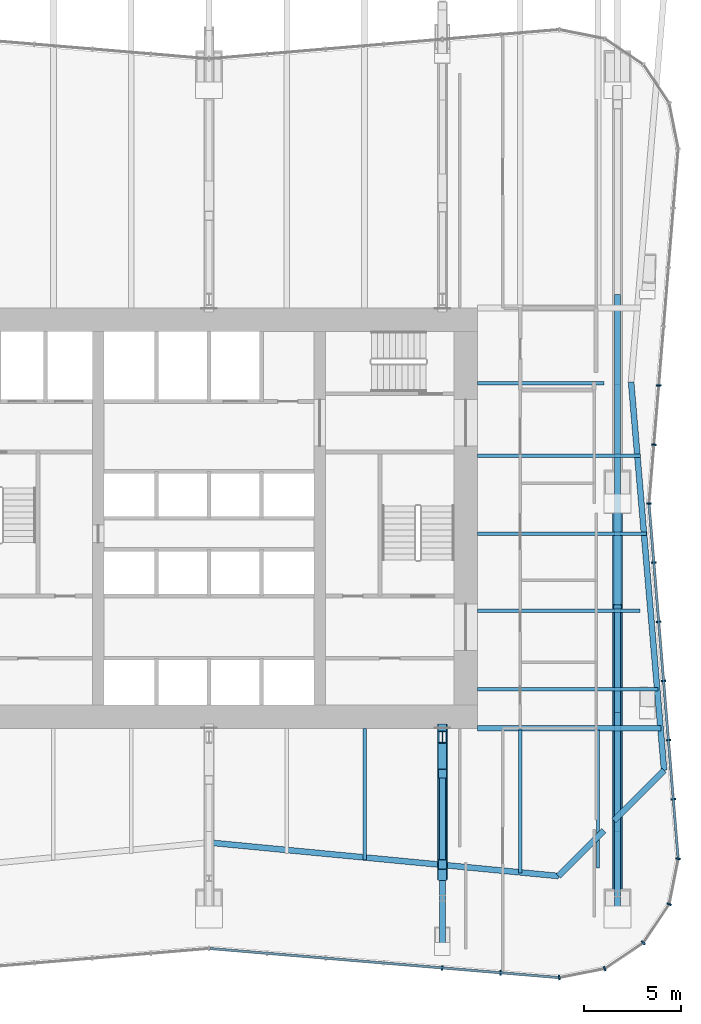
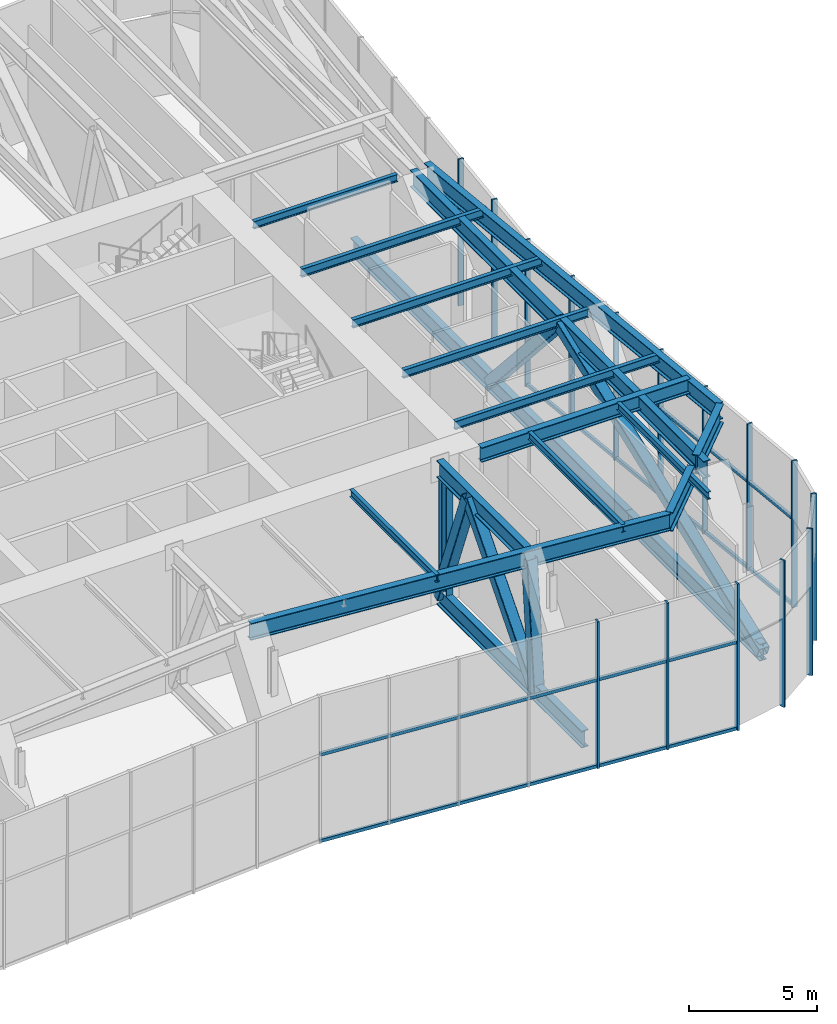
# One storey, part 7 of 17: 32 members, 13 beams, 3 elements without a shape of their own.
"""IFC4 building model written with IfcOpenShell, lengths in metres."""

from ifc_helpers import new_model, si_unit, direction, frame, origin, origin_2d, place, context, subcontext, project, spatial, rectangle, hollow_rectangle, i_section, extrude, material, material_profile, profile_set, type_object, element, aggregate, save


model = new_model("IFC4")

# Units and contexts
model_context = context("Model", 3, precision=1e-05, world=origin(), true_north=direction((0.0, 1.0)))
body_context = subcontext(model_context, "Body", "Model", "MODEL_VIEW")
ifc_project = project(units=[si_unit("LENGTHUNIT", "METRE"), si_unit("AREAUNIT", "SQUARE_METRE"), si_unit("VOLUMEUNIT", "CUBIC_METRE"), si_unit("PLANEANGLEUNIT", "RADIAN"), si_unit("MASSUNIT", "GRAM", prefix="KILO")], contexts=[model_context])

# Site, building, storey
site_placement = place(None, origin())
site = spatial("IfcSite", under=ifc_project, at=site_placement, CompositionType="ELEMENT")
building_placement = place(site_placement, origin())
building = spatial("IfcBuilding", under=site, at=building_placement, Name="Verdant Reach Tower", CompositionType="ELEMENT")
storey_placement = place(building_placement, frame((0.0, 0.0, 114.0)))
storey = spatial("IfcBuildingStorey", under=building, at=storey_placement, Name="L26 Plant", CompositionType="ELEMENT", Elevation=114.0)

# Curtain wall, members
ifc_material_1 = material(Name="Anodised aluminium", Category="aluminium")
curtain_wall_type = type_object("IfcCurtainWallType", Name="EN-CW SYSTEM PLANT", PredefinedType="NOTDEFINED", material=ifc_material_1)
curtain_wall_1_placement = place(storey_placement, origin())
curtain_wall_1 = element("IfcCurtainWall", 1, at=curtain_wall_1_placement, inside=storey, type_object=curtain_wall_type, Name="Curtain wall south-east corner, L26", PredefinedType="NOTDEFINED")
ifc_material_profile_1 = material_profile(ifc_material_1, rectangle(XDim=0.238037109375, YDim=0.080078125, at=origin_2d()), Name="Mullion 80x240")
ifc_profile_set_1 = profile_set([ifc_material_profile_1], Name="Anodised aluminium")
member_type_1 = type_object("IfcMemberType", Name="EN-MULLION PLANT", PredefinedType="MULLION", material=ifc_profile_set_1)
member_1_placement = place(storey_placement, frame((18.0068359375, 4.381103515625, -0.35009765625), z_axis=(0.0, 0.0, 1.0), x_axis=(0.056569187765, -0.998398681387, 0.0)))
member_1 = element("IfcMember", 2, at=member_1_placement, type_object=member_type_1, Name="Mullion south-east corner 1, L26", PredefinedType="MULLION", context=body_context, shape_type="SweptSolid", body=[
    extrude(rectangle(XDim=0.238037109375, YDim=0.080078125, at=origin_2d()), origin(), (0.0, 0.0, 1.0), 7.0),
])
member_2_placement = place(storey_placement, frame((20.341552734375, 4.8466796875, -0.35009765625), z_axis=(0.0, 0.0, 1.0), x_axis=(0.382693853776, -0.923875215753, 0.0)))
member_2 = element("IfcMember", 3, at=member_2_placement, type_object=member_type_1, Name="Mullion south-east corner 2, L26", PredefinedType="MULLION", context=body_context, shape_type="SweptSolid", body=[
    extrude(rectangle(XDim=0.238037109375, YDim=0.080078125, at=origin_2d()), origin(), (0.0, 0.0, 1.0), 7.0),
])
member_3_placement = place(storey_placement, frame((22.32666015625, 6.17333984375, -0.35009765625), z_axis=(0.0, 0.0, 1.0), x_axis=(0.707106781187, -0.707106781187, 0.0)))
member_3 = element("IfcMember", 4, at=member_3_placement, type_object=member_type_1, Name="Mullion south-east corner 3, L26", PredefinedType="MULLION", context=body_context, shape_type="SweptSolid", body=[
    extrude(rectangle(XDim=0.238037109375, YDim=0.080078125, at=origin_2d()), origin(), (0.0, 0.0, 1.0), 7.0),
])
member_4_placement = place(storey_placement, frame((23.6533203125, 8.158447265625, -0.35009765625), z_axis=(0.0, 0.0, 1.0), x_axis=(0.923875215753, -0.382693853776, 0.0)))
member_4 = element("IfcMember", 5, at=member_4_placement, type_object=member_type_1, Name="Mullion south-east corner 4, L26", PredefinedType="MULLION", context=body_context, shape_type="SweptSolid", body=[
    extrude(rectangle(XDim=0.238037109375, YDim=0.080078125, at=origin_2d()), origin(), (0.0, 0.0, 1.0), 7.0),
])
aggregate(curtain_wall_1, [member_1, member_2, member_3, member_4])

curtain_wall_2_placement = place(storey_placement, origin())
curtain_wall_2 = element("IfcCurtainWall", 6, at=curtain_wall_2_placement, inside=storey, type_object=curtain_wall_type, Name="Curtain wall east, L26", PredefinedType="NOTDEFINED")
member_5_placement = place(storey_placement, frame((24.118896484375, 10.4931640625, -0.35009765625), z_axis=(0.0, 0.0, 1.0), x_axis=(0.998366452275, -0.057135164055, 0.0)))
member_5 = element("IfcMember", 7, at=member_5_placement, type_object=member_type_1, Name="Mullion east face part 1 1, L26", PredefinedType="MULLION", context=body_context, shape_type="SweptSolid", body=[
    extrude(rectangle(XDim=0.238037109375, YDim=0.080078125, at=origin_2d()), origin(), (0.0, 0.0, 1.0), 7.0),
])
member_6_placement = place(storey_placement, frame((23.86865234375, 13.551513671875, -0.35009765625), z_axis=(0.0, 0.0, 1.0), x_axis=(0.996639273542, 0.081915556724, 0.0)))
member_6 = element("IfcMember", 8, at=member_6_placement, type_object=member_type_1, Name="Mullion east face part 1 2, L26", PredefinedType="MULLION", context=body_context, shape_type="SweptSolid", body=[
    extrude(rectangle(XDim=0.238037109375, YDim=0.080078125, at=origin_2d()), origin(), (0.0, 0.0, 1.0), 7.0),
])
member_7_placement = place(storey_placement, frame((23.61865234375, 16.593017578125, -0.35009765625), z_axis=(0.0, 0.0, 1.0), x_axis=(0.996639273542, 0.081915556724, 0.0)))
member_7 = element("IfcMember", 9, at=member_7_placement, type_object=member_type_1, Name="Mullion east face part 1 3, L26", PredefinedType="MULLION", context=body_context, shape_type="SweptSolid", body=[
    extrude(rectangle(XDim=0.238037109375, YDim=0.080078125, at=origin_2d()), origin(), (0.0, 0.0, 1.0), 7.0),
])
member_8_placement = place(storey_placement, frame((23.36865234375, 19.634765625, -0.35009765625), z_axis=(0.0, 0.0, 1.0), x_axis=(0.996639273542, 0.081915556724, 0.0)))
member_8 = element("IfcMember", 10, at=member_8_placement, type_object=member_type_1, Name="Mullion east face part 1 4, L26", PredefinedType="MULLION", context=body_context, shape_type="SweptSolid", body=[
    extrude(rectangle(XDim=0.238037109375, YDim=0.080078125, at=origin_2d()), origin(), (0.0, 0.0, 1.0), 7.0),
])
member_9_placement = place(storey_placement, frame((23.11865234375, 22.676513671875, -0.35009765625), z_axis=(0.0, 0.0, 1.0), x_axis=(0.996639273542, 0.081915556724, 0.0)))
member_9 = element("IfcMember", 11, at=member_9_placement, type_object=member_type_1, Name="Mullion east face part 1 5, L26", PredefinedType="MULLION", context=body_context, shape_type="SweptSolid", body=[
    extrude(rectangle(XDim=0.238037109375, YDim=0.080078125, at=origin_2d()), origin(), (0.0, 0.0, 1.0), 7.0),
])
member_10_placement = place(storey_placement, frame((22.86865234375, 25.718017578125, -0.35009765625), z_axis=(0.0, 0.0, 1.0), x_axis=(0.996639273542, 0.081915556724, 0.0)))
member_10 = element("IfcMember", 12, at=member_10_placement, type_object=member_type_1, Name="Mullion east face part 1 6, L26", PredefinedType="MULLION", context=body_context, shape_type="SweptSolid", body=[
    extrude(rectangle(XDim=0.238037109375, YDim=0.080078125, at=origin_2d()), origin(), (0.0, 0.0, 1.0), 7.0),
])
member_11_placement = place(storey_placement, frame((22.618896484375, 28.75, -0.35009765625), z_axis=(0.0, 0.0, 1.0), x_axis=(1.0, 0.0, 0.0)))
member_11 = element("IfcMember", 13, at=member_11_placement, type_object=member_type_1, Name="Mullion east face part 2 1, L26", PredefinedType="MULLION", context=body_context, shape_type="SweptSolid", body=[
    extrude(rectangle(XDim=0.238037109375, YDim=0.080078125, at=origin_2d()), origin(), (0.0, 0.0, 1.0), 7.0),
])
member_12_placement = place(storey_placement, frame((22.86865234375, 31.781982421875, -0.35009765625), z_axis=(0.0, 0.0, 1.0), x_axis=(0.996639273542, -0.081915556724, 0.0)))
member_12 = element("IfcMember", 14, at=member_12_placement, type_object=member_type_1, Name="Mullion east face part 2 2, L26", PredefinedType="MULLION", context=body_context, shape_type="SweptSolid", body=[
    extrude(rectangle(XDim=0.238037109375, YDim=0.080078125, at=origin_2d()), origin(), (0.0, 0.0, 1.0), 7.0),
])
member_13_placement = place(storey_placement, frame((23.11865234375, 34.823486328125, -0.35009765625), z_axis=(0.0, 0.0, 1.0), x_axis=(0.996639273542, -0.081915556724, 0.0)))
member_13 = element("IfcMember", 15, at=member_13_placement, type_object=member_type_1, Name="Mullion east face part 2 3, L26", PredefinedType="MULLION", context=body_context, shape_type="SweptSolid", body=[
    extrude(rectangle(XDim=0.238037109375, YDim=0.080078125, at=origin_2d()), origin(), (0.0, 0.0, 1.0), 7.0),
])

curtain_wall_3_placement = place(storey_placement, origin())
curtain_wall_3 = element("IfcCurtainWall", 16, at=curtain_wall_3_placement, inside=storey, type_object=curtain_wall_type, Name="Curtain wall south, L26", PredefinedType="NOTDEFINED")
member_14_placement = place(storey_placement, frame((11.990234375, 4.88134765625, -0.35009765625), z_axis=(0.0, 0.0, 1.0), x_axis=(-0.083045479859, -0.996545758244, 0.0)))
member_14 = element("IfcMember", 17, at=member_14_placement, type_object=member_type_1, Name="Mullion south face part 2 5, L26", PredefinedType="MULLION", context=body_context, shape_type="SweptSolid", body=[
    extrude(rectangle(XDim=0.238037109375, YDim=0.080078125, at=origin_2d()), origin(), (0.0, 0.0, 1.0), 7.0),
])
member_15_placement = place(storey_placement, frame((14.990234375, 4.63134765625, -0.35009765625), z_axis=(0.0, 0.0, 1.0), x_axis=(-0.083045479859, -0.996545758244, 0.0)))
member_15 = element("IfcMember", 18, at=member_15_placement, type_object=member_type_1, Name="Mullion south face part 2 6, L26", PredefinedType="MULLION", context=body_context, shape_type="SweptSolid", body=[
    extrude(rectangle(XDim=0.238037109375, YDim=0.080078125, at=origin_2d()), origin(), (0.0, 0.0, 1.0), 7.0),
])

# Member
ifc_material_profile_2 = material_profile(ifc_material_1, rectangle(XDim=0.1201171875, YDim=0.14990234375, at=origin_2d()), Name="Transom 150x120")
ifc_profile_set_2 = profile_set([ifc_material_profile_2], Name="Anodised aluminium")
member_type_2 = type_object("IfcMemberType", Name="EN-TRANSOM PLANT", PredefinedType="USERDEFINED", material=ifc_profile_set_2)
member_16_placement = place(storey_placement, frame((24.115478515625, 10.532958984375, -0.27490234375), z_axis=(-0.081868928861, 0.996643104871, 0.0), x_axis=(-0.996643104871, -0.081868928861, 0.0)))
member_16 = element("IfcMember", 19, at=member_16_placement, type_object=member_type_2, Name="Transom east face part 1 1.1, L26", ObjectType="TRANSOM", PredefinedType="USERDEFINED", context=body_context, shape_type="SweptSolid", body=[
    extrude(rectangle(XDim=0.1201171875, YDim=0.14990234375, at=origin_2d()), origin(), (0.0, 0.0, 1.0), 18.238525390625),
])

member_17_placement = place(storey_placement, frame((24.115478515625, 10.532958984375, 3.85009765625), z_axis=(-0.081868928861, 0.996643104871, 0.0), x_axis=(-0.996643104871, -0.081868928861, 0.0)))
member_17 = element("IfcMember", 20, at=member_17_placement, type_object=member_type_2, Name="Transom east face part 1 1.2, L26", ObjectType="TRANSOM", PredefinedType="USERDEFINED", context=body_context, shape_type="SweptSolid", body=[
    extrude(rectangle(XDim=0.1201171875, YDim=0.14990234375, at=origin_2d()), origin(), (0.0, 0.0, 1.0), 18.238525390625),
])

aggregate(curtain_wall_2, [member_5, member_6, member_7, member_8, member_9, member_10, member_16, member_17, member_11, member_12, member_13])

member_18_placement = place(storey_placement, frame((0.039794921875, 5.877685546875, -0.27490234375), z_axis=(0.996549220477, -0.083003922598, 0.0), x_axis=(0.083003922598, 0.996549220477, 0.0)))
member_18 = element("IfcMember", 21, at=member_18_placement, type_object=member_type_2, Name="Transom south face part 2 1.1, L26", ObjectType="TRANSOM", PredefinedType="USERDEFINED", context=body_context, shape_type="SweptSolid", body=[
    extrude(rectangle(XDim=0.1201171875, YDim=0.14990234375, at=origin_2d()), origin(), (0.0, 0.0, 1.0), 17.989013671875),
])

member_19_placement = place(storey_placement, frame((0.039794921875, 5.877685546875, 3.85009765625), z_axis=(0.996549220477, -0.083003922598, 0.0), x_axis=(0.083003922598, 0.996549220477, 0.0)))
member_19 = element("IfcMember", 22, at=member_19_placement, type_object=member_type_2, Name="Transom south face part 2 1.2, L26", ObjectType="TRANSOM", PredefinedType="USERDEFINED", context=body_context, shape_type="SweptSolid", body=[
    extrude(rectangle(XDim=0.1201171875, YDim=0.14990234375, at=origin_2d()), origin(), (0.0, 0.0, 1.0), 17.989013671875),
])

aggregate(curtain_wall_3, [member_14, member_15, member_18, member_19])

# Beams
ifc_material_2 = material(Name="Steel S355", Category="steel")
ifc_material_profile_3 = material_profile(ifc_material_2, i_section(OverallWidth=0.300048828125, OverallDepth=0.699951171875, WebThickness=0.01708984375, FlangeThickness=0.031982421875, FilletRadius=0.027099609375, at=origin_2d()), Name="HEB 700")
ifc_profile_set_3 = profile_set([ifc_material_profile_3], Name="Steel S355")
beam_type_1 = type_object("IfcBeamType", Name="ST-BEAM-HEB700", PredefinedType="BEAM", material=ifc_profile_set_3)
beam_1_placement = place(storey_placement, frame((13.800048828125, 17.199951171875, 6.52001953125), z_axis=(1.0, 0.0, 0.0), x_axis=(0.0, 1.0, 0.0)))
element("IfcBeam", 23, at=beam_1_placement, inside=storey, type_object=beam_type_1, Name="Trimmer beam, L26 Plant", PredefinedType="BEAM", context=body_context, shape_type="SweptSolid", body=[
    extrude(i_section(OverallWidth=0.300048828125, OverallDepth=0.699951171875, WebThickness=0.01708984375, FlangeThickness=0.031982421875, FilletRadius=0.027099609375, at=origin_2d()), origin(), (0.0, 0.0, 1.0), 9.433349609375),
])
ifc_material_profile_4 = material_profile(ifc_material_2, i_section(OverallWidth=0.169921875, OverallDepth=0.360107421875, WebThickness=0.008056640625, FlangeThickness=0.0126953125, FilletRadius=0.01806640625, at=origin_2d()), Name="IPE 360")
ifc_profile_set_4 = profile_set([ifc_material_profile_4], Name="Steel S355")
beam_type_2 = type_object("IfcBeamType", Name="ST-JOIST-IPE360", PredefinedType="JOIST", material=ifc_profile_set_4)
beam_2_placement = place(storey_placement, frame((8.0, 17.199951171875, 6.68994140625), z_axis=(0.0, -1.0, 0.0), x_axis=(1.0, 0.0, 0.0)))
element("IfcBeam", 24, at=beam_2_placement, inside=storey, type_object=beam_type_2, Name="Floor joist, L26 Plant", PredefinedType="JOIST", context=body_context, shape_type="SweptSolid", body=[
    extrude(i_section(OverallWidth=0.169921875, OverallDepth=0.360107421875, WebThickness=0.008056640625, FlangeThickness=0.0126953125, FilletRadius=0.01806640625, at=origin_2d()), origin(), (0.0, 0.0, 1.0), 6.7646484375),
])
beam_3_placement = place(storey_placement, frame((16.0, 17.10009765625, 6.68994140625), z_axis=(0.0, -1.0, 0.0), x_axis=(1.0, 0.0, 0.0)))
element("IfcBeam", 25, at=beam_3_placement, inside=storey, type_object=beam_type_2, Name="Floor joist, L26 Plant", PredefinedType="JOIST", context=body_context, shape_type="SweptSolid", body=[
    extrude(i_section(OverallWidth=0.169921875, OverallDepth=0.360107421875, WebThickness=0.008056640625, FlangeThickness=0.0126953125, FilletRadius=0.01806640625, at=origin_2d()), origin(), (0.0, 0.0, 1.0), 7.331298828125),
])
beam_4_placement = place(storey_placement, frame((20.0, 17.10009765625, 6.68994140625), z_axis=(0.0, -1.0, 0.0), x_axis=(1.0, 0.0, 0.0)))
element("IfcBeam", 26, at=beam_4_placement, inside=storey, type_object=beam_type_2, Name="Floor joist, L26 Plant", PredefinedType="JOIST", context=body_context, shape_type="SweptSolid", body=[
    extrude(i_section(OverallWidth=0.169921875, OverallDepth=0.360107421875, WebThickness=0.008056640625, FlangeThickness=0.0126953125, FilletRadius=0.01806640625, at=origin_2d()), origin(), (0.0, 0.0, 1.0), 7.090576171875),
])
beam_5_placement = place(storey_placement, frame((13.800048828125, 34.93408203125, 6.68994140625), z_axis=(1.0, 0.0, 0.0), x_axis=(0.0, 1.0, 0.0)))
element("IfcBeam", 27, at=beam_5_placement, inside=storey, type_object=beam_type_2, Name="Floor joist, L26 Plant", PredefinedType="JOIST", context=body_context, shape_type="SweptSolid", body=[
    extrude(i_section(OverallWidth=0.169921875, OverallDepth=0.360107421875, WebThickness=0.008056640625, FlangeThickness=0.0126953125, FilletRadius=0.01806640625, at=origin_2d()), origin(), (0.0, 0.0, 1.0), 6.5),
])
ifc_material_profile_5 = material_profile(ifc_material_2, i_section(OverallWidth=0.179931640625, OverallDepth=0.39990234375, WebThickness=0.008544921875, FlangeThickness=0.013427734375, FilletRadius=0.02099609375, at=origin_2d()), Name="IPE 400")
ifc_profile_set_5 = profile_set([ifc_material_profile_5], Name="Steel S355")
beam_type_3 = type_object("IfcBeamType", Name="ST-JOIST-IPE400", PredefinedType="JOIST", material=ifc_profile_set_5)
beam_6_placement = place(storey_placement, frame((13.800048828125, 19.199951171875, 6.669921875), z_axis=(1.0, 0.0, 0.0), x_axis=(0.0, 1.0, 0.0)))
element("IfcBeam", 28, at=beam_6_placement, inside=storey, type_object=beam_type_3, Name="Floor joist, L26 Plant", PredefinedType="JOIST", context=body_context, shape_type="SweptSolid", body=[
    extrude(i_section(OverallWidth=0.179931640625, OverallDepth=0.39990234375, WebThickness=0.008544921875, FlangeThickness=0.013427734375, FilletRadius=0.02099609375, at=origin_2d()), origin(), (0.0, 0.0, 1.0), 9.283203125),
])
beam_7_placement = place(storey_placement, frame((13.800048828125, 23.2490234375, 6.669921875), z_axis=(1.0, 0.0, 0.0), x_axis=(0.0, 1.0, 0.0)))
element("IfcBeam", 29, at=beam_7_placement, inside=storey, type_object=beam_type_3, Name="Floor joist, L26 Plant", PredefinedType="JOIST", context=body_context, shape_type="SweptSolid", body=[
    extrude(i_section(OverallWidth=0.179931640625, OverallDepth=0.39990234375, WebThickness=0.008544921875, FlangeThickness=0.013427734375, FilletRadius=0.02099609375, at=origin_2d()), origin(), (0.0, 0.0, 1.0), 8.361083984375),
])
beam_8_placement = place(storey_placement, frame((13.800048828125, 27.199951171875, 6.669921875), z_axis=(1.0, 0.0, 0.0), x_axis=(0.0, 1.0, 0.0)))
element("IfcBeam", 30, at=beam_8_placement, inside=storey, type_object=beam_type_3, Name="Floor joist, L26 Plant", PredefinedType="JOIST", context=body_context, shape_type="SweptSolid", body=[
    extrude(i_section(OverallWidth=0.179931640625, OverallDepth=0.39990234375, WebThickness=0.008544921875, FlangeThickness=0.013427734375, FilletRadius=0.02099609375, at=origin_2d()), origin(), (0.0, 0.0, 1.0), 8.683349609375),
])
beam_9_placement = place(storey_placement, frame((13.800048828125, 31.199951171875, 6.669921875), z_axis=(1.0, 0.0, 0.0), x_axis=(0.0, 1.0, 0.0)))
element("IfcBeam", 31, at=beam_9_placement, inside=storey, type_object=beam_type_3, Name="Floor joist, L26 Plant", PredefinedType="JOIST", context=body_context, shape_type="SweptSolid", body=[
    extrude(i_section(OverallWidth=0.179931640625, OverallDepth=0.39990234375, WebThickness=0.008544921875, FlangeThickness=0.013427734375, FilletRadius=0.02099609375, at=origin_2d()), origin(), (0.0, 0.0, 1.0), 8.38330078125),
])
ifc_material_profile_6 = material_profile(ifc_material_2, i_section(OverallWidth=0.300048828125, OverallDepth=0.800048828125, WebThickness=0.017578125, FlangeThickness=0.032958984375, FilletRadius=0.030029296875, at=origin_2d()), Name="HEB 800")
ifc_profile_set_6 = profile_set([ifc_material_profile_6], Name="Steel S355")
beam_type_4 = type_object("IfcBeamType", Name="ST-SPANDREL-HEB800", PredefinedType="SPANDREL", material=ifc_profile_set_6)
beam_10_placement = place(storey_placement, frame((17.9658203125, 9.60498046875, 6.469970703125), z_axis=(-0.99544089579, 0.095380411972, 0.0), x_axis=(-0.095380411972, -0.99544089579, 0.0)))
element("IfcBeam", 32, at=beam_10_placement, inside=storey, type_object=beam_type_4, Name="Edge beam, L26 Plant", PredefinedType="SPANDREL", context=body_context, shape_type="SweptSolid", body=[
    extrude(i_section(OverallWidth=0.300048828125, OverallDepth=0.800048828125, WebThickness=0.017578125, FlangeThickness=0.032958984375, FilletRadius=0.030029296875, at=origin_2d()), origin(), (0.0, 0.0, 1.0), 18.048095703125),
])
beam_11_placement = place(storey_placement, frame((21.699951171875, 35.0, 6.469970703125), z_axis=(0.084629683937, -0.996412473124, 0.0), x_axis=(0.996412473124, 0.084629683937, 0.0)))
element("IfcBeam", 33, at=beam_11_placement, inside=storey, type_object=beam_type_4, Name="Edge beam, L26 Plant", PredefinedType="SPANDREL", context=body_context, shape_type="SweptSolid", body=[
    extrude(i_section(OverallWidth=0.300048828125, OverallDepth=0.800048828125, WebThickness=0.017578125, FlangeThickness=0.032958984375, FilletRadius=0.030029296875, at=origin_2d()), origin(), (0.0, 0.0, 1.0), 20.034912109375),
])
ifc_material_profile_7 = material_profile(ifc_material_2, i_section(OverallWidth=0.302001953125, OverallDepth=0.909912109375, WebThickness=0.02099609375, FlangeThickness=0.0400390625, FilletRadius=0.030029296875, at=origin_2d()), Name="HEM 900")
ifc_profile_set_7 = profile_set([ifc_material_profile_7], Name="Steel S355")
beam_type_5 = type_object("IfcBeamType", Name="ST-SPANDREL-HEM900", PredefinedType="SPANDREL", material=ifc_profile_set_7)
beam_12_placement = place(storey_placement, frame((23.3955078125, 15.036865234375, 6.4150390625), z_axis=(-0.70693954135, -0.707273981478, 0.0), x_axis=(0.707273981478, -0.70693954135, 0.0)))
element("IfcBeam", 34, at=beam_12_placement, inside=storey, type_object=beam_type_5, Name="Edge beam, L26 Plant", PredefinedType="SPANDREL", context=body_context, shape_type="SweptSolid", body=[
    extrude(i_section(OverallWidth=0.302001953125, OverallDepth=0.909912109375, WebThickness=0.02099609375, FlangeThickness=0.0400390625, FilletRadius=0.030029296875, at=origin_2d()), origin(), (0.0, 0.0, 1.0), 3.64990234375),
])
beam_13_placement = place(storey_placement, frame((20.300048828125, 11.940185546875, 6.4150390625), z_axis=(-0.706958881844, -0.707254649601, 0.0), x_axis=(0.707254649601, -0.706958881844, 0.0)))
element("IfcBeam", 35, at=beam_13_placement, inside=storey, type_object=beam_type_5, Name="Edge beam, L26 Plant", PredefinedType="SPANDREL", context=body_context, shape_type="SweptSolid", body=[
    extrude(i_section(OverallWidth=0.302001953125, OverallDepth=0.909912109375, WebThickness=0.02099609375, FlangeThickness=0.0400390625, FilletRadius=0.030029296875, at=origin_2d()), origin(), (0.0, 0.0, 1.0), 3.3017578125),
])

# Members
ifc_material_3 = material(Name="Steel S460", Category="steel")
ifc_material_profile_8 = material_profile(ifc_material_3, hollow_rectangle(XDim=0.5, YDim=0.5, WallThickness=0.02490234375, InnerFilletRadius=0.02490234375, OuterFilletRadius=0.050048828125, at=origin_2d()), Name="RHS 500x500x25")
ifc_profile_set_8 = profile_set([ifc_material_profile_8], Name="Steel S460")
member_type_3 = type_object("IfcMemberType", Name="ST-TRUSS-BRACE-RHS500x500x25", PredefinedType="BRACE", material=ifc_profile_set_8)
member_20_placement = place(storey_placement, frame((12.0, 17.199951171875, 0.406982421875), z_axis=(0.0, -0.359458006872, 0.933161262214), x_axis=(1.0, 0.0, 0.0)))
element("IfcMember", 36, at=member_20_placement, inside=storey, type_object=member_type_3, Name="Outrigger truss E south, diagonal, L26 Plant", PredefinedType="BRACE", context=body_context, shape_type="SweptSolid", body=[
    extrude(hollow_rectangle(XDim=0.5, YDim=0.5, WallThickness=0.02490234375, InnerFilletRadius=0.02490234375, OuterFilletRadius=0.050048828125, at=origin_2d()), origin(), (0.0, 0.0, 1.0), 6.48974609375),
])
member_21_placement = place(storey_placement, frame((12.0, 14.8671875, 6.462890625), z_axis=(0.0, -0.653646083273, -0.75680036854), x_axis=(1.0, 0.0, 0.0)))
element("IfcMember", 37, at=member_21_placement, inside=storey, type_object=member_type_3, Name="Outrigger truss E south, diagonal, L26 Plant", PredefinedType="BRACE", context=body_context, shape_type="SweptSolid", body=[
    extrude(hollow_rectangle(XDim=0.5, YDim=0.5, WallThickness=0.02490234375, InnerFilletRadius=0.02490234375, OuterFilletRadius=0.050048828125, at=origin_2d()), origin(), (0.0, 0.0, 1.0), 8.001953125),
])
member_22_placement = place(storey_placement, frame((12.0, 9.63671875, 0.406982421875), z_axis=(0.0, 0.092884352179, 0.995676903981), x_axis=(-1.0, 0.0, 0.0)))
element("IfcMember", 38, at=member_22_placement, inside=storey, type_object=member_type_3, Name="Outrigger truss E south, diagonal, L26 Plant", PredefinedType="BRACE", context=body_context, shape_type="SweptSolid", body=[
    extrude(hollow_rectangle(XDim=0.5, YDim=0.5, WallThickness=0.02490234375, InnerFilletRadius=0.02490234375, OuterFilletRadius=0.050048828125, at=origin_2d()), origin(), (0.0, 0.0, 1.0), 6.082275390625),
])
member_23_placement = place(storey_placement, frame((21.0, 7.505126953125, 0.406982421875), z_axis=(0.0, 0.934312560616, 0.356454820525), x_axis=(-1.0, 0.0, 0.0)))
element("IfcMember", 39, at=member_23_placement, inside=storey, type_object=member_type_3, Name="Transfer truss F east, diagonal, L26 Plant", PredefinedType="BRACE", context=body_context, shape_type="SweptSolid", body=[
    extrude(hollow_rectangle(XDim=0.5, YDim=0.5, WallThickness=0.02490234375, InnerFilletRadius=0.02490234375, OuterFilletRadius=0.050048828125, at=origin_2d()), origin(), (0.0, 0.0, 1.0), 16.9892578125),
])
member_24_placement = place(storey_placement, frame((21.0, 23.37841796875, 6.462890625), z_axis=(0.0, 0.664062570863, -0.747677003779), x_axis=(-1.0, 0.0, 0.0)))
element("IfcMember", 40, at=member_24_placement, inside=storey, type_object=member_type_3, Name="Transfer truss F east, diagonal, L26 Plant", PredefinedType="BRACE", context=body_context, shape_type="SweptSolid", body=[
    extrude(hollow_rectangle(XDim=0.5, YDim=0.5, WallThickness=0.02490234375, InnerFilletRadius=0.02490234375, OuterFilletRadius=0.050048828125, at=origin_2d()), origin(), (0.0, 0.0, 1.0), 8.099609375),
])
ifc_material_profile_9 = material_profile(ifc_material_3, i_section(OverallWidth=0.302978515625, OverallDepth=0.81396484375, WebThickness=0.02099609375, FlangeThickness=0.0400390625, FilletRadius=0.030029296875, at=origin_2d()), Name="HEM 800")
ifc_profile_set_9 = profile_set([ifc_material_profile_9], Name="Steel S460")
member_type_4 = type_object("IfcMemberType", Name="ST-TRUSS-CHORD-HEM800", PredefinedType="CHORD", material=ifc_profile_set_9)
member_25_placement = place(storey_placement, frame((12.0, 17.199951171875, 6.462890625), z_axis=(0.0, -1.0, 0.0), x_axis=(1.0, 0.0, 0.0)))
element("IfcMember", 41, at=member_25_placement, inside=storey, type_object=member_type_4, Name="Outrigger truss E south, top chord, L26 Plant", PredefinedType="CHORD", context=body_context, shape_type="SweptSolid", body=[
    extrude(i_section(OverallWidth=0.302978515625, OverallDepth=0.81396484375, WebThickness=0.02099609375, FlangeThickness=0.0400390625, FilletRadius=0.030029296875, at=origin_2d()), origin(), (0.0, 0.0, 1.0), 6.998291015625),
])
member_26_placement = place(storey_placement, frame((12.0, 17.199951171875, 0.406982421875), z_axis=(0.0, -1.0, 0.0), x_axis=(1.0, 0.0, 0.0)))
element("IfcMember", 42, at=member_26_placement, inside=storey, type_object=member_type_4, Name="Outrigger truss E south, bottom chord, L26 Plant", PredefinedType="CHORD", context=body_context, shape_type="SweptSolid", body=[
    extrude(i_section(OverallWidth=0.302978515625, OverallDepth=0.81396484375, WebThickness=0.02099609375, FlangeThickness=0.0400390625, FilletRadius=0.030029296875, at=origin_2d()), origin(), (0.0, 0.0, 1.0), 11.344970703125),
])
member_27_placement = place(storey_placement, frame((21.0, 11.900634765625, 6.462890625), z_axis=(0.0, 1.0, 0.0), x_axis=(-1.0, 0.0, 0.0)))
element("IfcMember", 43, at=member_27_placement, inside=storey, type_object=member_type_4, Name="Transfer truss F east, top chord, L26 Plant", PredefinedType="CHORD", context=body_context, shape_type="SweptSolid", body=[
    extrude(i_section(OverallWidth=0.302978515625, OverallDepth=0.81396484375, WebThickness=0.02099609375, FlangeThickness=0.0400390625, FilletRadius=0.030029296875, at=origin_2d()), origin(), (0.0, 0.0, 1.0), 11.477783203125),
])
member_28_placement = place(storey_placement, frame((21.0, 7.505126953125, 0.406982421875), z_axis=(0.0, 1.0, 0.0), x_axis=(-1.0, 0.0, 0.0)))
element("IfcMember", 44, at=member_28_placement, inside=storey, type_object=member_type_4, Name="Transfer truss F east, bottom chord, L26 Plant", PredefinedType="CHORD", context=body_context, shape_type="SweptSolid", body=[
    extrude(i_section(OverallWidth=0.302978515625, OverallDepth=0.81396484375, WebThickness=0.02099609375, FlangeThickness=0.0400390625, FilletRadius=0.030029296875, at=origin_2d()), origin(), (0.0, 0.0, 1.0), 10.5009765625),
])
member_29_placement = place(storey_placement, frame((21.0, 23.37841796875, 6.462890625), z_axis=(0.0, 1.0, 0.0), x_axis=(-1.0, 0.0, 0.0)))
element("IfcMember", 45, at=member_29_placement, inside=storey, type_object=member_type_4, Name="Transfer truss F east, top chord, L26 Plant", PredefinedType="CHORD", context=body_context, shape_type="SweptSolid", body=[
    extrude(i_section(OverallWidth=0.302978515625, OverallDepth=0.81396484375, WebThickness=0.02099609375, FlangeThickness=0.0400390625, FilletRadius=0.030029296875, at=origin_2d()), origin(), (0.0, 0.0, 1.0), 11.4833984375),
])
member_30_placement = place(storey_placement, frame((21.0, 18.006103515625, 0.406982421875), z_axis=(0.0, 1.0, 0.0), x_axis=(-1.0, 0.0, 0.0)))
element("IfcMember", 46, at=member_30_placement, inside=storey, type_object=member_type_4, Name="Transfer truss F east, bottom chord, L26 Plant", PredefinedType="CHORD", context=body_context, shape_type="SweptSolid", body=[
    extrude(i_section(OverallWidth=0.302978515625, OverallDepth=0.81396484375, WebThickness=0.02099609375, FlangeThickness=0.0400390625, FilletRadius=0.030029296875, at=origin_2d()), origin(), (0.0, 0.0, 1.0), 10.7509765625),
])
member_31_placement = place(storey_placement, frame((21.0, 28.757080078125, 0.406982421875), z_axis=(0.0, 1.0, 0.0), x_axis=(-1.0, 0.0, 0.0)))
element("IfcMember", 47, at=member_31_placement, inside=storey, type_object=member_type_4, Name="Transfer truss F east, bottom chord, L26 Plant", PredefinedType="CHORD", context=body_context, shape_type="SweptSolid", body=[
    extrude(i_section(OverallWidth=0.302978515625, OverallDepth=0.81396484375, WebThickness=0.02099609375, FlangeThickness=0.0400390625, FilletRadius=0.030029296875, at=origin_2d()), origin(), (0.0, 0.0, 1.0), 10.754150390625),
])
ifc_material_profile_10 = material_profile(ifc_material_3, i_section(OverallWidth=0.304931640625, OverallDepth=0.6201171875, WebThickness=0.02099609375, FlangeThickness=0.0400390625, FilletRadius=0.027099609375, at=origin_2d()), Name="HEM 600")
ifc_profile_set_10 = profile_set([ifc_material_profile_10], Name="Steel S460")
member_type_5 = type_object("IfcMemberType", Name="ST-TRUSS-POST-HEM600", PredefinedType="POST", material=ifc_profile_set_10)
member_32_placement = place(storey_placement, frame((12.0, 16.75, 0.833984375), z_axis=(0.0, 0.0, 1.0), x_axis=(1.0, 0.0, 0.0)))
element("IfcMember", 48, at=member_32_placement, inside=storey, type_object=member_type_5, Name="Outrigger truss E south, end post, L26 Plant", PredefinedType="POST", context=body_context, shape_type="SweptSolid", body=[
    extrude(i_section(OverallWidth=0.304931640625, OverallDepth=0.6201171875, WebThickness=0.02099609375, FlangeThickness=0.0400390625, FilletRadius=0.027099609375, at=origin_2d()), origin(), (0.0, 0.0, 1.0), 5.201904296875),
])

save(model, "model.ifc")
